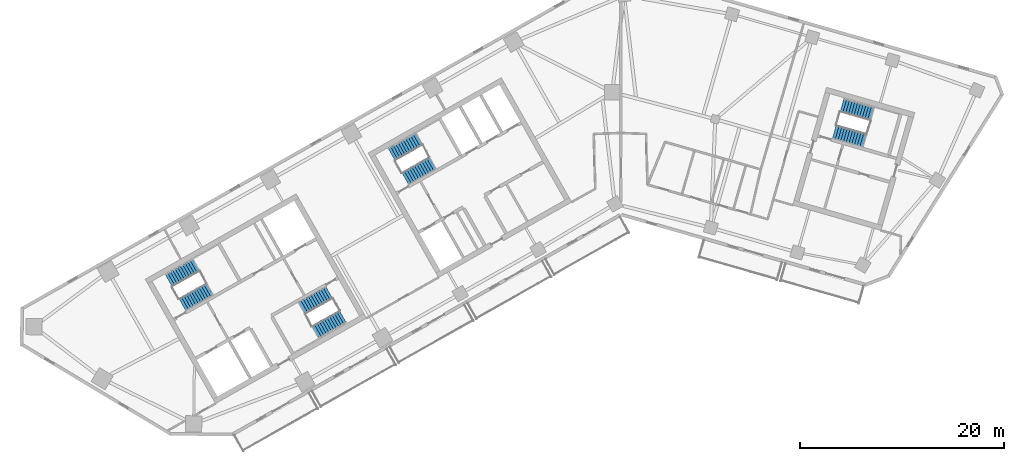
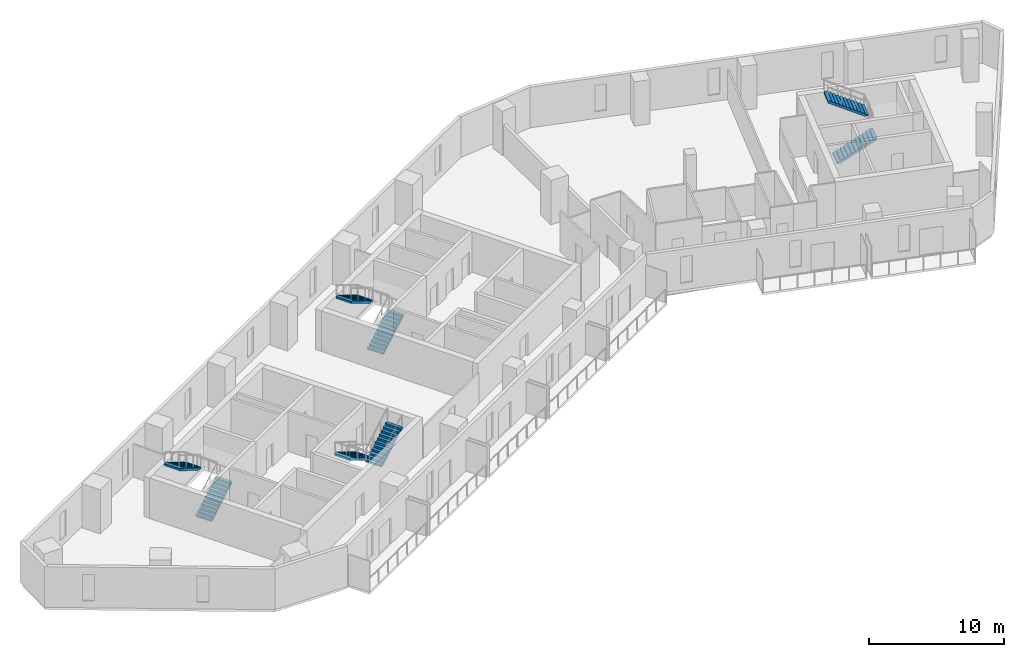
# One storey, part 7 of 9: 8 stair flights, 4 elements without a shape of their own.
"""IFC4 building model written with IfcOpenShell, lengths in metres."""

from ifc_helpers import new_model, si_unit, direction, frame, origin, place, context, subcontext, project, spatial, polyline, outline, extrude, material, type_object, element, aggregate, save


model = new_model("IFC4")

# Units and contexts
model_context = context("Model", 3, precision=1e-05, world=origin(), true_north=direction((0.0, 1.0)))
body_context = subcontext(model_context, "Body", "Model", "MODEL_VIEW")
ifc_project = project(units=[si_unit("LENGTHUNIT", "METRE"), si_unit("AREAUNIT", "SQUARE_METRE"), si_unit("VOLUMEUNIT", "CUBIC_METRE"), si_unit("PLANEANGLEUNIT", "RADIAN"), si_unit("MASSUNIT", "GRAM", prefix="KILO")], contexts=[model_context])

# Site, building, storey
site_placement = place(None, origin())
site = spatial("IfcSite", under=ifc_project, at=site_placement, CompositionType="ELEMENT")
building_placement = place(site_placement, origin())
building = spatial("IfcBuilding", under=site, at=building_placement, Name="Binnacle Exchange Tower", CompositionType="ELEMENT")
storey_placement = place(building_placement, frame((0.0, 0.0, 166.89990234375)))
storey = spatial("IfcBuildingStorey", under=building, at=storey_placement, Name="L35", CompositionType="ELEMENT", Elevation=166.89990234375)

# Stair, stair flights
ifc_material = material(Name="Concrete C35/45", Category="concrete")
stair_type = type_object("IfcStairType", Name="STAIR 24 RISERS 167", PredefinedType="HALF_TURN_STAIR", material=ifc_material)
stair_1_placement = place(storey_placement, origin())
stair_1 = element("IfcStair", 1, at=stair_1_placement, inside=storey, type_object=stair_type, Name="L35 Escape stair A1", PredefinedType="HALF_TURN_STAIR")
stair_flight_type = type_object("IfcStairFlightType", Name="STAIR FLIGHT 167X280", PredefinedType="STRAIGHT", material=ifc_material)
stair_flight_1_placement = place(storey_placement, frame((-42.9541015625, 39.17333984375, 0.0), z_axis=(0.0, 0.0, 1.0), x_axis=(0.870355584213, 0.492423757581, 0.0)))
stair_flight_1 = element("IfcStairFlight", 2, at=stair_flight_1_placement, type_object=stair_flight_type, Name="STA1 flight 1", NumberOfRisers=12, NumberOfTreads=11, PredefinedType="STRAIGHT", RiserHeight=0.166666667, TreadLength=0.28, context=body_context, shape_type="SweptSolid", body=[
    extrude(outline(polyline([(0.0, 0.0), (0.0, 0.166748046875), (0.280029296875, 0.166748046875), (0.280029296875, 0.333251953125), (0.56005859375, 0.333251953125), (0.56005859375, 0.5), (0.840087890625, 0.5), (0.840087890625, 0.666748046875), (1.1201171875, 0.666748046875), (1.1201171875, 0.833251953125), (1.39990234375, 0.833251953125), (1.39990234375, 1.0), (1.679931640625, 1.0), (1.679931640625, 1.166748046875), (1.9599609375, 1.166748046875), (1.9599609375, 1.333251953125), (2.239990234375, 1.333251953125), (2.239990234375, 1.5), (2.52001953125, 1.5), (2.52001953125, 1.666748046875), (2.800048828125, 1.666748046875), (2.800048828125, 1.833251953125), (3.080078125, 1.833251953125), (3.080078125, 2.0), (3.080078125, 1.658935546875), (0.29296875, 0.0), (0.0, 0.0)])), frame((0.0, 0.675048828125, 0.0), z_axis=(0.0, -1.0, 0.0), x_axis=(1.0, 0.0, 0.0)), (0.0, 0.0, 1.0), 1.35009765625),
])
stair_flight_2_placement = place(storey_placement, frame((-41.602783203125, 43.0400390625, 2.0), z_axis=(0.0, 0.0, 1.0), x_axis=(-0.870355584213, -0.492423757581, 0.0)))
stair_flight_2 = element("IfcStairFlight", 3, at=stair_flight_2_placement, type_object=stair_flight_type, Name="STA1 flight 2", NumberOfRisers=12, NumberOfTreads=11, PredefinedType="STRAIGHT", RiserHeight=0.166666667, TreadLength=0.28, context=body_context, shape_type="SweptSolid", body=[
    extrude(outline(polyline([(0.0, 0.0), (0.0, 0.166748046875), (0.280029296875, 0.166748046875), (0.280029296875, 0.333251953125), (0.56005859375, 0.333251953125), (0.56005859375, 0.5), (0.840087890625, 0.5), (0.840087890625, 0.666748046875), (1.1201171875, 0.666748046875), (1.1201171875, 0.833251953125), (1.39990234375, 0.833251953125), (1.39990234375, 1.0), (1.679931640625, 1.0), (1.679931640625, 1.166748046875), (1.9599609375, 1.166748046875), (1.9599609375, 1.333251953125), (2.239990234375, 1.333251953125), (2.239990234375, 1.5), (2.52001953125, 1.5), (2.52001953125, 1.666748046875), (2.800048828125, 1.666748046875), (2.800048828125, 1.833251953125), (3.080078125, 1.833251953125), (3.080078125, 2.0), (3.080078125, 1.658935546875), (0.29296875, 0.0), (0.0, 0.0)])), frame((0.0, 0.675048828125, 0.0), z_axis=(0.0, -1.0, 0.0), x_axis=(1.0, 0.0, 0.0)), (0.0, 0.0, 1.0), 1.35009765625),
])
aggregate(stair_1, [stair_flight_1, stair_flight_2])

stair_2_placement = place(storey_placement, origin())
stair_2 = element("IfcStair", 4, at=stair_2_placement, inside=storey, type_object=stair_type, Name="L35 Escape stair A2", PredefinedType="HALF_TURN_STAIR")
stair_flight_3_placement = place(storey_placement, frame((-28.5732421875, 40.3583984375, 0.0), z_axis=(0.0, 0.0, 1.0), x_axis=(-0.870355584213, -0.492423757581, 0.0)))
stair_flight_3 = element("IfcStairFlight", 5, at=stair_flight_3_placement, type_object=stair_flight_type, Name="STA2 flight 1", NumberOfRisers=12, NumberOfTreads=11, PredefinedType="STRAIGHT", RiserHeight=0.166666667, TreadLength=0.28, context=body_context, shape_type="SweptSolid", body=[
    extrude(outline(polyline([(0.0, 0.0), (0.0, 0.166748046875), (0.280029296875, 0.166748046875), (0.280029296875, 0.333251953125), (0.56005859375, 0.333251953125), (0.56005859375, 0.5), (0.840087890625, 0.5), (0.840087890625, 0.666748046875), (1.1201171875, 0.666748046875), (1.1201171875, 0.833251953125), (1.39990234375, 0.833251953125), (1.39990234375, 1.0), (1.679931640625, 1.0), (1.679931640625, 1.166748046875), (1.9599609375, 1.166748046875), (1.9599609375, 1.333251953125), (2.239990234375, 1.333251953125), (2.239990234375, 1.5), (2.52001953125, 1.5), (2.52001953125, 1.666748046875), (2.800048828125, 1.666748046875), (2.800048828125, 1.833251953125), (3.080078125, 1.833251953125), (3.080078125, 2.0), (3.080078125, 1.658935546875), (0.29296875, 0.0), (0.0, 0.0)])), frame((0.0, 0.675048828125, 0.0), z_axis=(0.0, -1.0, 0.0), x_axis=(1.0, 0.0, 0.0)), (0.0, 0.0, 1.0), 1.35009765625),
])
stair_flight_4_placement = place(storey_placement, frame((-29.92431640625, 36.49169921875, 2.0), z_axis=(0.0, 0.0, 1.0), x_axis=(0.870355584213, 0.492423757581, 0.0)))
stair_flight_4 = element("IfcStairFlight", 6, at=stair_flight_4_placement, type_object=stair_flight_type, Name="STA2 flight 2", NumberOfRisers=12, NumberOfTreads=11, PredefinedType="STRAIGHT", RiserHeight=0.166666667, TreadLength=0.28, context=body_context, shape_type="SweptSolid", body=[
    extrude(outline(polyline([(0.0, 0.0), (0.0, 0.166748046875), (0.280029296875, 0.166748046875), (0.280029296875, 0.333251953125), (0.56005859375, 0.333251953125), (0.56005859375, 0.5), (0.840087890625, 0.5), (0.840087890625, 0.666748046875), (1.1201171875, 0.666748046875), (1.1201171875, 0.833251953125), (1.39990234375, 0.833251953125), (1.39990234375, 1.0), (1.679931640625, 1.0), (1.679931640625, 1.166748046875), (1.9599609375, 1.166748046875), (1.9599609375, 1.333251953125), (2.239990234375, 1.333251953125), (2.239990234375, 1.5), (2.52001953125, 1.5), (2.52001953125, 1.666748046875), (2.800048828125, 1.666748046875), (2.800048828125, 1.833251953125), (3.080078125, 1.833251953125), (3.080078125, 2.0), (3.080078125, 1.658935546875), (0.29296875, 0.0), (0.0, 0.0)])), frame((0.0, 0.675048828125, 0.0), z_axis=(0.0, -1.0, 0.0), x_axis=(1.0, 0.0, 0.0)), (0.0, 0.0, 1.0), 1.35009765625),
])
aggregate(stair_2, [stair_flight_3, stair_flight_4])

stair_3_placement = place(storey_placement, origin())
stair_3 = element("IfcStair", 7, at=stair_3_placement, inside=storey, type_object=stair_type, Name="L35 Escape stair C1", PredefinedType="HALF_TURN_STAIR")
stair_flight_5_placement = place(storey_placement, frame((-21.115966796875, 51.528564453125, 0.0), z_axis=(0.0, 0.0, 1.0), x_axis=(0.870355584213, 0.492423757581, 0.0)))
stair_flight_5 = element("IfcStairFlight", 8, at=stair_flight_5_placement, type_object=stair_flight_type, Name="STC1 flight 1", NumberOfRisers=12, NumberOfTreads=11, PredefinedType="STRAIGHT", RiserHeight=0.166666667, TreadLength=0.28, context=body_context, shape_type="SweptSolid", body=[
    extrude(outline(polyline([(0.0, 0.0), (0.0, 0.166748046875), (0.280029296875, 0.166748046875), (0.280029296875, 0.333251953125), (0.56005859375, 0.333251953125), (0.56005859375, 0.5), (0.840087890625, 0.5), (0.840087890625, 0.666748046875), (1.1201171875, 0.666748046875), (1.1201171875, 0.833251953125), (1.39990234375, 0.833251953125), (1.39990234375, 1.0), (1.679931640625, 1.0), (1.679931640625, 1.166748046875), (1.9599609375, 1.166748046875), (1.9599609375, 1.333251953125), (2.239990234375, 1.333251953125), (2.239990234375, 1.5), (2.52001953125, 1.5), (2.52001953125, 1.666748046875), (2.800048828125, 1.666748046875), (2.800048828125, 1.833251953125), (3.080078125, 1.833251953125), (3.080078125, 2.0), (3.080078125, 1.658935546875), (0.29296875, 0.0), (0.0, 0.0)])), frame((0.0, 0.675048828125, 0.0), z_axis=(0.0, -1.0, 0.0), x_axis=(1.0, 0.0, 0.0)), (0.0, 0.0, 1.0), 1.35009765625),
])
stair_flight_6_placement = place(storey_placement, frame((-19.764892578125, 55.395263671875, 2.0), z_axis=(0.0, 0.0, 1.0), x_axis=(-0.870355584213, -0.492423757581, 0.0)))
stair_flight_6 = element("IfcStairFlight", 9, at=stair_flight_6_placement, type_object=stair_flight_type, Name="STC1 flight 2", NumberOfRisers=12, NumberOfTreads=11, PredefinedType="STRAIGHT", RiserHeight=0.166666667, TreadLength=0.28, context=body_context, shape_type="SweptSolid", body=[
    extrude(outline(polyline([(0.0, 0.0), (0.0, 0.166748046875), (0.280029296875, 0.166748046875), (0.280029296875, 0.333251953125), (0.56005859375, 0.333251953125), (0.56005859375, 0.5), (0.840087890625, 0.5), (0.840087890625, 0.666748046875), (1.1201171875, 0.666748046875), (1.1201171875, 0.833251953125), (1.39990234375, 0.833251953125), (1.39990234375, 1.0), (1.679931640625, 1.0), (1.679931640625, 1.166748046875), (1.9599609375, 1.166748046875), (1.9599609375, 1.333251953125), (2.239990234375, 1.333251953125), (2.239990234375, 1.5), (2.52001953125, 1.5), (2.52001953125, 1.666748046875), (2.800048828125, 1.666748046875), (2.800048828125, 1.833251953125), (3.080078125, 1.833251953125), (3.080078125, 2.0), (3.080078125, 1.658935546875), (0.29296875, 0.0), (0.0, 0.0)])), frame((0.0, 0.675048828125, 0.0), z_axis=(0.0, -1.0, 0.0), x_axis=(1.0, 0.0, 0.0)), (0.0, 0.0, 1.0), 1.35009765625),
])
aggregate(stair_3, [stair_flight_5, stair_flight_6])

stair_4_placement = place(storey_placement, origin())
stair_4 = element("IfcStair", 10, at=stair_4_placement, inside=storey, type_object=stair_type, Name="L35 Escape stair D1", PredefinedType="HALF_TURN_STAIR")
stair_flight_7_placement = place(storey_placement, frame((20.914306640625, 56.109619140625, 0.0), z_axis=(0.0, 0.0, 1.0), x_axis=(0.961261811397, -0.275636953165, 0.0)))
stair_flight_7 = element("IfcStairFlight", 11, at=stair_flight_7_placement, type_object=stair_flight_type, Name="STD1 flight 1", NumberOfRisers=12, NumberOfTreads=11, PredefinedType="STRAIGHT", RiserHeight=0.166666667, TreadLength=0.28, context=body_context, shape_type="SweptSolid", body=[
    extrude(outline(polyline([(0.0, 0.0), (0.0, 0.166748046875), (0.280029296875, 0.166748046875), (0.280029296875, 0.333251953125), (0.56005859375, 0.333251953125), (0.56005859375, 0.5), (0.840087890625, 0.5), (0.840087890625, 0.666748046875), (1.1201171875, 0.666748046875), (1.1201171875, 0.833251953125), (1.39990234375, 0.833251953125), (1.39990234375, 1.0), (1.679931640625, 1.0), (1.679931640625, 1.166748046875), (1.9599609375, 1.166748046875), (1.9599609375, 1.333251953125), (2.239990234375, 1.333251953125), (2.239990234375, 1.5), (2.52001953125, 1.5), (2.52001953125, 1.666748046875), (2.800048828125, 1.666748046875), (2.800048828125, 1.833251953125), (3.080078125, 1.833251953125), (3.080078125, 2.0), (3.080078125, 1.658935546875), (0.29296875, 0.0), (0.0, 0.0)])), frame((0.0, 0.675048828125, 0.0), z_axis=(0.0, -1.0, 0.0), x_axis=(1.0, 0.0, 0.0)), (0.0, 0.0, 1.0), 1.35009765625),
])
stair_flight_8_placement = place(storey_placement, frame((24.619384765625, 57.85595703125, 2.0), z_axis=(0.0, 0.0, 1.0), x_axis=(-0.961261811397, 0.275636953165, 0.0)))
stair_flight_8 = element("IfcStairFlight", 12, at=stair_flight_8_placement, type_object=stair_flight_type, Name="STD1 flight 2", NumberOfRisers=12, NumberOfTreads=11, PredefinedType="STRAIGHT", RiserHeight=0.166666667, TreadLength=0.28, context=body_context, shape_type="SweptSolid", body=[
    extrude(outline(polyline([(0.0, 0.0), (0.0, 0.166748046875), (0.280029296875, 0.166748046875), (0.280029296875, 0.333251953125), (0.56005859375, 0.333251953125), (0.56005859375, 0.5), (0.840087890625, 0.5), (0.840087890625, 0.666748046875), (1.1201171875, 0.666748046875), (1.1201171875, 0.833251953125), (1.39990234375, 0.833251953125), (1.39990234375, 1.0), (1.679931640625, 1.0), (1.679931640625, 1.166748046875), (1.9599609375, 1.166748046875), (1.9599609375, 1.333251953125), (2.239990234375, 1.333251953125), (2.239990234375, 1.5), (2.52001953125, 1.5), (2.52001953125, 1.666748046875), (2.800048828125, 1.666748046875), (2.800048828125, 1.833251953125), (3.080078125, 1.833251953125), (3.080078125, 2.0), (3.080078125, 1.658935546875), (0.29296875, 0.0), (0.0, 0.0)])), frame((0.0, 0.675048828125, 0.0), z_axis=(0.0, -1.0, 0.0), x_axis=(1.0, 0.0, 0.0)), (0.0, 0.0, 1.0), 1.35009765625),
])
aggregate(stair_4, [stair_flight_7, stair_flight_8])

save(model, "model.ifc")
